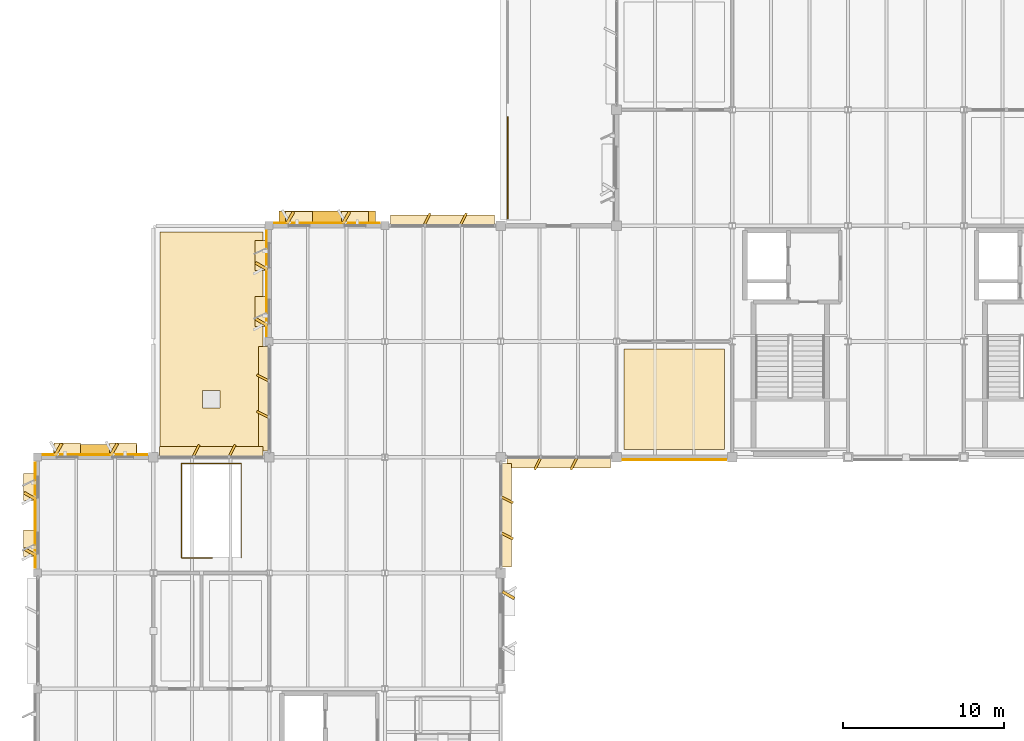
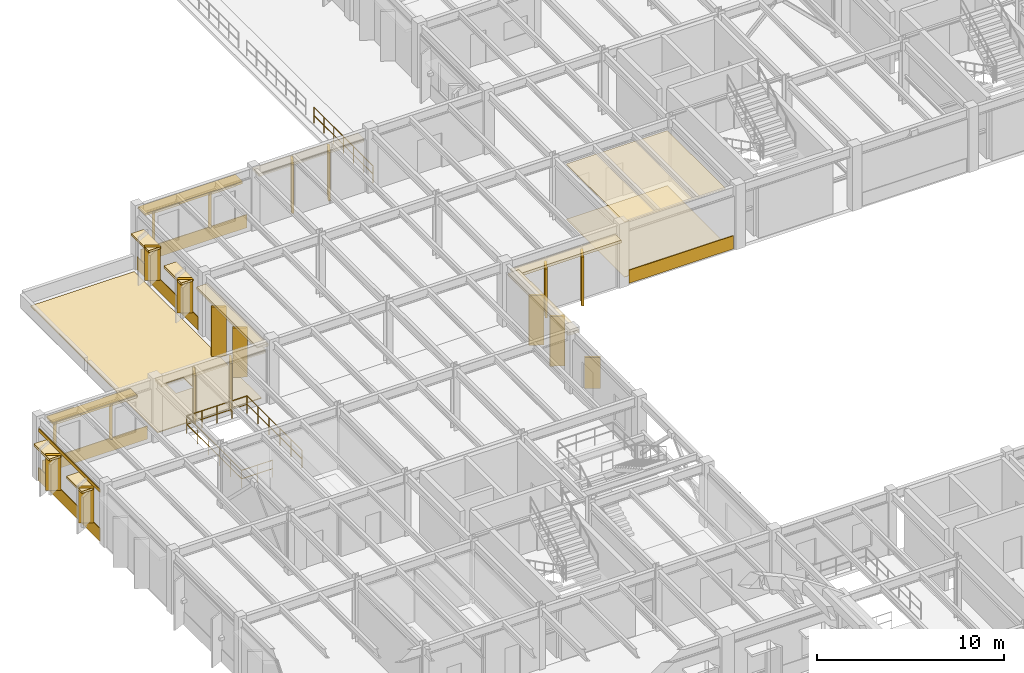
# One storey, part 80 of 85: 41 coverings, 2 railings, 2 shading devices.
"""IFC4 building model written with IfcOpenShell, lengths in metres."""

from ifc_helpers import new_model, si_unit, direction, frame, frame_2d, origin, origin_2d, place, context, subcontext, project, spatial, polyline, rectangle, circle, outline, extrude, material, layer, layer_set, type_object, element, save


model = new_model("IFC4")

# Units and contexts
model_context = context("Model", 3, precision=1e-05, world=origin(), true_north=direction((0.0, 1.0)))
body_context = subcontext(model_context, "Body", "Model", "MODEL_VIEW")
ifc_project = project(units=[si_unit("LENGTHUNIT", "METRE"), si_unit("AREAUNIT", "SQUARE_METRE"), si_unit("VOLUMEUNIT", "CUBIC_METRE"), si_unit("PLANEANGLEUNIT", "RADIAN"), si_unit("MASSUNIT", "GRAM", prefix="KILO")], contexts=[model_context])

# Site, building, storey
site_placement = place(None, origin())
site = spatial("IfcSite", under=ifc_project, at=site_placement, CompositionType="ELEMENT")
building_placement = place(site_placement, origin())
building = spatial("IfcBuilding", under=site, at=building_placement, Name="Sillqori Civic Hall", CompositionType="ELEMENT")
storey_placement = place(building_placement, frame((0.0, 0.0, 9.89990234375)))
storey = spatial("IfcBuildingStorey", under=building, at=storey_placement, Name="L03", CompositionType="ELEMENT", Elevation=9.89990234375)

# Coverings
ifc_material_1 = material(Name="Micro-Perforated Aluminium Plank Ceiling", Category="aluminium")
ifc_layer_1 = layer(ifc_material_1, 0.035888671875)
ifc_layer_set_1 = layer_set([ifc_layer_1], Name="Micro-Perforated Aluminium Plank Ceiling")
covering_type_1 = type_object("IfcCoveringType", Name="COV-CEIL-MET", PredefinedType="CEILING", material=ifc_layer_set_1)
covering_1_placement = place(storey_placement, frame((0.0, 0.0, 3.585205078125)))
element("IfcCovering", 1, at=covering_1_placement, inside=storey, type_object=covering_type_1, Name="Urban Planning Masterplan Studio acoustic ceiling", PredefinedType="CEILING", context=body_context, shape_type="SweptSolid", body=[
    extrude(outline(polyline([(43.679931640625, 79.679931640625), (49.919921875, 79.679931640625), (49.919921875, 85.919921875), (43.679931640625, 85.919921875), (43.679931640625, 79.679931640625)])), origin(), (0.0, 0.0, 1.0), 0.035888671875),
])
ifc_material_2 = material(Name="Cochabamba Honed Limestone Cladding", Category="masonry")
ifc_layer_2 = layer(ifc_material_2, 0.044921875)
ifc_layer_set_2 = layer_set([ifc_layer_2], Name="Cochabamba Honed Limestone Cladding")
covering_type_2 = type_object("IfcCoveringType", Name="COV-CLAD-LIME", PredefinedType="CLADDING", material=ifc_layer_set_2)
covering_2_placement = place(storey_placement, frame((7.530029296875, 79.35009765625, 0.0400390625), z_axis=(0.0, 0.0, 1.0), x_axis=(1.0, 0.0, 0.0)))
element("IfcCovering", 2, at=covering_2_placement, inside=storey, type_object=covering_type_2, Name="L03 limestone spandrel cladding L03-01-10-N", PredefinedType="CLADDING", context=body_context, shape_type="SweptSolid", body=[
    extrude(rectangle(XDim=6.489990234375, YDim=0.044921875, at=frame_2d((3.2451171875, 0.0))), origin(), (0.0, 0.0, 1.0), 0.860107421875),
])
covering_3_placement = place(storey_placement, frame((8.27587890625, 79.31005859375, 0.830078125), z_axis=(0.0, 0.0, 1.0), x_axis=(0.500062241894, 0.865989465428, 0.0)))
element("IfcCovering", 3, at=covering_3_placement, inside=storey, type_object=covering_type_2, Name="Sawtooth limestone angled reveal cheek L03-01-10-N.1", PredefinedType="CLADDING", context=body_context, shape_type="SweptSolid", body=[
    extrude(rectangle(XDim=0.85009765625, YDim=0.179931640625, at=frame_2d((0.425048828125, 0.0))), origin(), (0.0, 0.0, 1.0), 2.300048828125),
])
covering_4_placement = place(storey_placement, frame((8.216064453125, 79.68994140625, 2.989990234375), z_axis=(0.0, 0.0, 1.0), x_axis=(1.0, 0.0, 0.0)))
element("IfcCovering", 4, at=covering_4_placement, inside=storey, type_object=covering_type_2, Name="Sawtooth limestone window hood L03-01-10-N.1", PredefinedType="CLADDING", context=body_context, shape_type="SweptSolid", body=[
    extrude(rectangle(XDim=1.659912109375, YDim=0.780029296875, at=frame_2d((0.830078125, 0.0))), origin(), (0.0, 0.0, 1.0), 0.14013671875),
])
covering_5_placement = place(storey_placement, frame((11.73388671875, 79.31005859375, 0.830078125), z_axis=(0.0, 0.0, 1.0), x_axis=(0.500062241894, 0.865989465428, 0.0)))
element("IfcCovering", 5, at=covering_5_placement, inside=storey, type_object=covering_type_2, Name="Sawtooth limestone angled reveal cheek L03-01-10-N.2", PredefinedType="CLADDING", context=body_context, shape_type="SweptSolid", body=[
    extrude(rectangle(XDim=0.85009765625, YDim=0.179931640625, at=frame_2d((0.425048828125, 0.0))), origin(), (0.0, 0.0, 1.0), 2.300048828125),
])
covering_6_placement = place(storey_placement, frame((11.674072265625, 79.68994140625, 2.989990234375), z_axis=(0.0, 0.0, 1.0), x_axis=(1.0, 0.0, 0.0)))
element("IfcCovering", 6, at=covering_6_placement, inside=storey, type_object=covering_type_2, Name="Sawtooth limestone window hood L03-01-10-N.2", PredefinedType="CLADDING", context=body_context, shape_type="SweptSolid", body=[
    extrude(rectangle(XDim=1.659912109375, YDim=0.780029296875, at=frame_2d((0.830078125, 0.0))), origin(), (0.0, 0.0, 1.0), 0.14013671875),
])
covering_7_placement = place(storey_placement, frame((7.050048828125, 72.330078125, 0.0400390625), z_axis=(0.0, 0.0, 1.0), x_axis=(0.0, 1.0, 0.0)))
element("IfcCovering", 7, at=covering_7_placement, inside=storey, type_object=covering_type_2, Name="L03 limestone spandrel cladding L03-01-10-W", PredefinedType="CLADDING", context=body_context, shape_type="SweptSolid", body=[
    extrude(rectangle(XDim=6.5400390625, YDim=0.044921875, at=frame_2d((3.27001953125, 0.0))), origin(), (0.0, 0.0, 1.0), 0.860107421875),
])
covering_8_placement = place(storey_placement, frame((7.050048828125, 72.330078125, 3.22021484375), z_axis=(0.0, 0.0, 1.0), x_axis=(0.0, 1.0, 0.0)))
element("IfcCovering", 8, at=covering_8_placement, inside=storey, type_object=covering_type_2, Name="L03 limestone frieze cladding L03-01-10-W", PredefinedType="CLADDING", context=body_context, shape_type="SweptSolid", body=[
    extrude(rectangle(XDim=6.5400390625, YDim=0.044921875, at=frame_2d((3.27001953125, 0.0))), origin(), (0.0, 0.0, 1.0), 0.226806640625),
])
covering_9_placement = place(storey_placement, frame((7.090087890625, 73.087890625, 0.830078125), z_axis=(0.0, 0.0, 1.0), x_axis=(-0.865989465428, 0.500062241894, 0.0)))
element("IfcCovering", 9, at=covering_9_placement, inside=storey, type_object=covering_type_2, Name="Sawtooth limestone angled reveal cheek L03-01-10-W.1", PredefinedType="CLADDING", context=body_context, shape_type="SweptSolid", body=[
    extrude(rectangle(XDim=0.85009765625, YDim=0.179931640625, at=frame_2d((0.425048828125, 0.0))), origin(), (0.0, 0.0, 1.0), 2.300048828125),
])
covering_10_placement = place(storey_placement, frame((6.7099609375, 73.028076171875, 2.989990234375), z_axis=(0.0, 0.0, 1.0), x_axis=(0.0, 1.0, 0.0)))
element("IfcCovering", 10, at=covering_10_placement, inside=storey, type_object=covering_type_2, Name="Sawtooth limestone window hood L03-01-10-W.1", PredefinedType="CLADDING", context=body_context, shape_type="SweptSolid", body=[
    extrude(rectangle(XDim=1.659912109375, YDim=0.780029296875, at=frame_2d((0.830078125, 0.0))), origin(), (0.0, 0.0, 1.0), 0.14013671875),
])
covering_11_placement = place(storey_placement, frame((7.090087890625, 76.572021484375, 0.830078125), z_axis=(0.0, 0.0, 1.0), x_axis=(-0.865989465428, 0.500062241894, 0.0)))
element("IfcCovering", 11, at=covering_11_placement, inside=storey, type_object=covering_type_2, Name="Sawtooth limestone angled reveal cheek L03-01-10-W.2", PredefinedType="CLADDING", context=body_context, shape_type="SweptSolid", body=[
    extrude(rectangle(XDim=0.85009765625, YDim=0.179931640625, at=frame_2d((0.425048828125, 0.0))), origin(), (0.0, 0.0, 1.0), 2.300048828125),
])
covering_12_placement = place(storey_placement, frame((6.7099609375, 76.511962890625, 2.989990234375), z_axis=(0.0, 0.0, 1.0), x_axis=(0.0, 1.0, 0.0)))
element("IfcCovering", 12, at=covering_12_placement, inside=storey, type_object=covering_type_2, Name="Sawtooth limestone window hood L03-01-10-W.2", PredefinedType="CLADDING", context=body_context, shape_type="SweptSolid", body=[
    extrude(rectangle(XDim=1.66015625, YDim=0.780029296875, at=frame_2d((0.830078125, 0.0))), origin(), (0.0, 0.0, 1.0), 0.14013671875),
])
covering_13_placement = place(storey_placement, frame((14.780029296875, 79.52001953125, 3.238037109375), z_axis=(0.0, 0.0, 1.0), x_axis=(1.0, 0.0, 0.0)))
element("IfcCovering", 13, at=covering_13_placement, inside=storey, type_object=covering_type_2, Name="L03 curtain-wall limestone solar hood L03-02-10-N", PredefinedType="CLADDING", context=body_context, shape_type="SweptSolid", body=[
    extrude(rectangle(XDim=6.43994140625, YDim=0.679931640625, at=frame_2d((3.219970703125, 0.0))), origin(), (0.0, 0.0, 1.0), 0.18017578125),
])
for number, where, z_axis, x_axis, name in (
    (14, (16.8779296875, 79.25, 0.06005859375), (0.0, 0.0, 1.0), (0.447334902547, 0.894366527193, 0.0), "L03 curtain-wall angled stone fin L03-02-10-N.1"),
    (15, (19.1220703125, 79.25, 0.06005859375), (0.0, 0.0, 1.0), (0.44709226377, 0.894487846579, 0.0), "L03 curtain-wall angled stone fin L03-02-10-N.2"),
):
    element("IfcCovering", number, at=place(storey_placement, frame(where, z_axis=z_axis, x_axis=x_axis)), inside=storey, type_object=covering_type_2, Name=name, PredefinedType="CLADDING", context=body_context, shape_type="SweptSolid", body=[
        extrude(rectangle(XDim=0.804931640625, YDim=0.139892578125, at=frame_2d((0.40234375, 0.0))), origin(), (0.0, 0.0, 1.0), 3.177978515625),
    ])
covering_14_placement = place(storey_placement, frame((21.280029296875, 79.580078125, 3.287109375), z_axis=(0.0, 0.0, 1.0), x_axis=(0.0, 1.0, 0.0)))
element("IfcCovering", 16, at=covering_14_placement, inside=storey, type_object=covering_type_2, Name="L03 curtain-wall limestone solar hood L03-03-11-W", PredefinedType="CLADDING", context=body_context, shape_type="SweptSolid", body=[
    extrude(rectangle(XDim=6.489990234375, YDim=0.679931640625, at=frame_2d((3.2451171875, 0.0))), origin(), (0.0, 0.0, 1.0), 0.179931640625),
])
for number, where, z_axis, x_axis, name in (
    (17, (21.550048828125, 81.694580078125, 0.06005859375), (0.0, 0.0, 1.0), (-0.894487846579, 0.44709226377, 0.0), "L03 curtain-wall angled stone fin L03-03-11-W.1"),
    (18, (21.550048828125, 83.95556640625, 0.06005859375), (0.0, 0.0, 1.0), (-0.894487846579, 0.44709226377, 0.0), "L03 curtain-wall angled stone fin L03-03-11-W.2"),
):
    element("IfcCovering", number, at=place(storey_placement, frame(where, z_axis=z_axis, x_axis=x_axis)), inside=storey, type_object=covering_type_2, Name=name, PredefinedType="CLADDING", context=body_context, shape_type="SweptSolid", body=[
        extrude(rectangle(XDim=0.804931640625, YDim=0.139892578125, at=frame_2d((0.40234375, 0.0))), origin(), (0.0, 0.0, 1.0), 3.22705078125),
    ])
covering_15_placement = place(storey_placement, frame((21.929931640625, 93.760009765625, 0.0400390625), z_axis=(0.0, 0.0, 1.0), x_axis=(1.0, 0.0, 0.0)))
element("IfcCovering", 19, at=covering_15_placement, inside=storey, type_object=covering_type_2, Name="L03 limestone spandrel cladding L03-03-12-N", PredefinedType="CLADDING", context=body_context, shape_type="SweptSolid", body=[
    extrude(rectangle(XDim=6.5400390625, YDim=0.044921875, at=frame_2d((3.27001953125, 0.0))), origin(), (0.0, 0.0, 1.0), 0.860107421875),
])
covering_16_placement = place(storey_placement, frame((22.68798828125, 93.719970703125, 0.830078125), z_axis=(0.0, 0.0, 1.0), x_axis=(0.500062241894, 0.865989465428, 0.0)))
element("IfcCovering", 20, at=covering_16_placement, inside=storey, type_object=covering_type_2, Name="Sawtooth limestone angled reveal cheek L03-03-12-N.1", PredefinedType="CLADDING", context=body_context, shape_type="SweptSolid", body=[
    extrude(rectangle(XDim=0.85009765625, YDim=0.179931640625, at=frame_2d((0.425048828125, 0.0))), origin(), (0.0, 0.0, 1.0), 2.300048828125),
])
covering_17_placement = place(storey_placement, frame((22.6279296875, 94.10009765625, 2.989990234375), z_axis=(0.0, 0.0, 1.0), x_axis=(1.0, 0.0, 0.0)))
element("IfcCovering", 21, at=covering_17_placement, inside=storey, type_object=covering_type_2, Name="Sawtooth limestone window hood L03-03-12-N.1", PredefinedType="CLADDING", context=body_context, shape_type="SweptSolid", body=[
    extrude(rectangle(XDim=1.66015625, YDim=0.780029296875, at=frame_2d((0.830078125, 0.0))), origin(), (0.0, 0.0, 1.0), 0.14013671875),
])
covering_18_placement = place(storey_placement, frame((26.172119140625, 93.719970703125, 0.830078125), z_axis=(0.0, 0.0, 1.0), x_axis=(0.499846793097, 0.866113839764, 0.0)))
element("IfcCovering", 22, at=covering_18_placement, inside=storey, type_object=covering_type_2, Name="Sawtooth limestone angled reveal cheek L03-03-12-N.2", PredefinedType="CLADDING", context=body_context, shape_type="SweptSolid", body=[
    extrude(rectangle(XDim=0.849853515625, YDim=0.179931640625, at=frame_2d((0.4248046875, 0.0))), origin(), (0.0, 0.0, 1.0), 2.300048828125),
])
covering_19_placement = place(storey_placement, frame((26.112060546875, 94.10009765625, 2.989990234375), z_axis=(0.0, 0.0, 1.0), x_axis=(1.0, 0.0, 0.0)))
element("IfcCovering", 23, at=covering_19_placement, inside=storey, type_object=covering_type_2, Name="Sawtooth limestone window hood L03-03-12-N.2", PredefinedType="CLADDING", context=body_context, shape_type="SweptSolid", body=[
    extrude(rectangle(XDim=1.659912109375, YDim=0.780029296875, at=frame_2d((0.830078125, 0.0))), origin(), (0.0, 0.0, 1.0), 0.14013671875),
])
covering_20_placement = place(storey_placement, frame((21.43994140625, 86.72998046875, 0.0400390625), z_axis=(0.0, 0.0, 1.0), x_axis=(0.0, 1.0, 0.0)))
element("IfcCovering", 24, at=covering_20_placement, inside=storey, type_object=covering_type_2, Name="L03 limestone spandrel cladding L03-03-12-W", PredefinedType="CLADDING", context=body_context, shape_type="SweptSolid", body=[
    extrude(rectangle(XDim=6.5400390625, YDim=0.044921875, at=frame_2d((3.27001953125, 0.0))), origin(), (0.0, 0.0, 1.0), 0.860107421875),
])
covering_21_placement = place(storey_placement, frame((21.47998046875, 87.387939453125, 0.830078125), z_axis=(0.0, 0.0, 1.0), x_axis=(-0.865989465428, 0.500062241894, 0.0)))
element("IfcCovering", 25, at=covering_21_placement, inside=storey, type_object=covering_type_2, Name="Sawtooth limestone angled reveal cheek L03-03-12-W.1", PredefinedType="CLADDING", context=body_context, shape_type="SweptSolid", body=[
    extrude(rectangle(XDim=0.85009765625, YDim=0.179931640625, at=frame_2d((0.425048828125, 0.0))), origin(), (0.0, 0.0, 1.0), 2.199951171875),
])
covering_22_placement = place(storey_placement, frame((21.10009765625, 87.327880859375, 2.89013671875), z_axis=(0.0, 0.0, 1.0), x_axis=(0.0, 1.0, 0.0)))
element("IfcCovering", 26, at=covering_22_placement, inside=storey, type_object=covering_type_2, Name="Sawtooth limestone window hood L03-03-12-W.1", PredefinedType="CLADDING", context=body_context, shape_type="SweptSolid", body=[
    extrude(rectangle(XDim=1.860107421875, YDim=0.780029296875, at=frame_2d((0.93017578125, 0.0))), origin(), (0.0, 0.0, 1.0), 0.139892578125),
])
covering_23_placement = place(storey_placement, frame((21.47998046875, 90.8720703125, 0.830078125), z_axis=(0.0, 0.0, 1.0), x_axis=(-0.865989465428, 0.500062241894, 0.0)))
element("IfcCovering", 27, at=covering_23_placement, inside=storey, type_object=covering_type_2, Name="Sawtooth limestone angled reveal cheek L03-03-12-W.2", PredefinedType="CLADDING", context=body_context, shape_type="SweptSolid", body=[
    extrude(rectangle(XDim=0.85009765625, YDim=0.179931640625, at=frame_2d((0.425048828125, 0.0))), origin(), (0.0, 0.0, 1.0), 2.199951171875),
])
covering_24_placement = place(storey_placement, frame((21.10009765625, 90.81201171875, 2.89013671875), z_axis=(0.0, 0.0, 1.0), x_axis=(0.0, 1.0, 0.0)))
element("IfcCovering", 28, at=covering_24_placement, inside=storey, type_object=covering_type_2, Name="Sawtooth limestone window hood L03-03-12-W.2", PredefinedType="CLADDING", context=body_context, shape_type="SweptSolid", body=[
    extrude(rectangle(XDim=1.860107421875, YDim=0.780029296875, at=frame_2d((0.93017578125, 0.0))), origin(), (0.0, 0.0, 1.0), 0.139892578125),
])
covering_25_placement = place(storey_placement, frame((36.110107421875, 70.8359375, 0.830078125), z_axis=(0.0, 0.0, 1.0), x_axis=(0.865989465428, -0.500062241894, 0.0)))
element("IfcCovering", 29, at=covering_25_placement, inside=storey, type_object=covering_type_2, Name="Sawtooth limestone angled reveal cheek L03-04-09-E.1", PredefinedType="CLADDING", context=body_context, shape_type="SweptSolid", body=[
    extrude(rectangle(XDim=0.85009765625, YDim=0.179931640625, at=frame_2d((0.425048828125, 0.0))), origin(), (0.0, 0.0, 1.0), 2.0),
])
covering_26_placement = place(storey_placement, frame((36.320068359375, 78.820068359375, 3.30712890625), z_axis=(0.0, 0.0, 1.0), x_axis=(0.0, -1.0, 0.0)))
element("IfcCovering", 30, at=covering_26_placement, inside=storey, type_object=covering_type_2, Name="L03 curtain-wall limestone solar hood L03-04-10-E", PredefinedType="CLADDING", context=body_context, shape_type="SweptSolid", body=[
    extrude(rectangle(XDim=6.440185546875, YDim=0.679931640625, at=frame_2d((3.22021484375, 0.0))), origin(), (0.0, 0.0, 1.0), 0.179931640625),
])
for number, where, z_axis, x_axis, name in (
    (31, (36.050048828125, 76.721923828125, 0.06005859375), (0.0, 0.0, 1.0), (0.894487846579, -0.44709226377, 0.0), "L03 curtain-wall angled stone fin L03-04-10-E.1"),
    (32, (36.050048828125, 74.47802734375, 0.06005859375), (0.0, 0.0, 1.0), (0.894366527193, -0.447334902547, 0.0), "L03 curtain-wall angled stone fin L03-04-10-E.2"),
):
    element("IfcCovering", number, at=place(storey_placement, frame(where, z_axis=z_axis, x_axis=x_axis)), inside=storey, type_object=covering_type_2, Name=name, PredefinedType="CLADDING", context=body_context, shape_type="SweptSolid", body=[
        extrude(rectangle(XDim=0.804931640625, YDim=0.139892578125, at=frame_2d((0.40234375, 0.0))), origin(), (0.0, 0.0, 1.0), 3.2470703125),
    ])
covering_27_placement = place(storey_placement, frame((29.1298828125, 93.919921875, 3.238037109375), z_axis=(0.0, 0.0, 1.0), x_axis=(1.0, 0.0, 0.0)))
element("IfcCovering", 33, at=covering_27_placement, inside=storey, type_object=covering_type_2, Name="L03 curtain-wall limestone solar hood L03-04-12-N", PredefinedType="CLADDING", context=body_context, shape_type="SweptSolid", body=[
    extrude(rectangle(XDim=6.490234375, YDim=0.679931640625, at=frame_2d((3.2451171875, 0.0))), origin(), (0.0, 0.0, 1.0), 0.18017578125),
])
for number, where, z_axis, x_axis, name in (
    (34, (31.244384765625, 93.64990234375, 0.06005859375), (0.0, 0.0, 1.0), (0.4472135955, 0.894427191, 0.0), "L03 curtain-wall angled stone fin L03-04-12-N.1"),
    (35, (33.505615234375, 93.64990234375, 0.06005859375), (0.0, 0.0, 1.0), (0.44697098964, 0.894548452807, 0.0), "L03 curtain-wall angled stone fin L03-04-12-N.2"),
):
    element("IfcCovering", number, at=place(storey_placement, frame(where, z_axis=z_axis, x_axis=x_axis)), inside=storey, type_object=covering_type_2, Name=name, PredefinedType="CLADDING", context=body_context, shape_type="SweptSolid", body=[
        extrude(rectangle(XDim=0.80517578125, YDim=0.139892578125, at=frame_2d((0.402587890625, 0.0))), origin(), (0.0, 0.0, 1.0), 3.177978515625),
    ])
covering_28_placement = place(storey_placement, frame((42.820068359375, 78.8798828125, 3.238037109375), z_axis=(0.0, 0.0, 1.0), x_axis=(-1.0, 0.0, 0.0)))
element("IfcCovering", 36, at=covering_28_placement, inside=storey, type_object=covering_type_2, Name="L03 curtain-wall limestone solar hood L03-05-11-S", PredefinedType="CLADDING", context=body_context, shape_type="SweptSolid", body=[
    extrude(rectangle(XDim=6.440185546875, YDim=0.679931640625, at=frame_2d((3.22021484375, 0.0))), origin(), (0.0, 0.0, 1.0), 0.18017578125),
])
for number, where, z_axis, x_axis, name in (
    (37, (40.721923828125, 79.14990234375, 0.06005859375), (0.0, 0.0, 1.0), (-0.44709226377, -0.894487846579, 0.0), "L03 curtain-wall angled stone fin L03-05-11-S.1"),
    (38, (38.47802734375, 79.14990234375, 0.06005859375), (0.0, 0.0, 1.0), (-0.447334902547, -0.894366527193, 0.0), "L03 curtain-wall angled stone fin L03-05-11-S.2"),
):
    element("IfcCovering", number, at=place(storey_placement, frame(where, z_axis=z_axis, x_axis=x_axis)), inside=storey, type_object=covering_type_2, Name=name, PredefinedType="CLADDING", context=body_context, shape_type="SweptSolid", body=[
        extrude(rectangle(XDim=0.804931640625, YDim=0.139892578125, at=frame_2d((0.40234375, 0.0))), origin(), (0.0, 0.0, 1.0), 3.177978515625),
    ])
covering_29_placement = place(storey_placement, frame((50.02001953125, 79.0400390625, 0.0400390625), z_axis=(0.0, 0.0, 1.0), x_axis=(-1.0, 0.0, 0.0)))
element("IfcCovering", 39, at=covering_29_placement, inside=storey, type_object=covering_type_2, Name="L03 limestone spandrel cladding L03-06-11-S", PredefinedType="CLADDING", context=body_context, shape_type="SweptSolid", body=[
    extrude(rectangle(XDim=6.43994140625, YDim=0.044921875, at=frame_2d((3.219970703125, 0.0))), origin(), (0.0, 0.0, 1.0), 0.860107421875),
])
ifc_material_3 = material(Name="Dust-Sealed Heavy-Duty Archive Epoxy", Category="resin")
ifc_layer_3 = layer(ifc_material_3, 0.014892578125)
ifc_layer_set_3 = layer_set([ifc_layer_3], Name="Dust-Sealed Heavy-Duty Archive Epoxy")
covering_type_3 = type_object("IfcCoveringType", Name="COV-FLR-EPX", PredefinedType="FLOORING", material=ifc_layer_set_3)
covering_30_placement = place(storey_placement, origin())
element("IfcCovering", 40, at=covering_30_placement, inside=storey, type_object=covering_type_3, Name="Urban Planning Masterplan Studio floor finish", PredefinedType="FLOORING", context=body_context, shape_type="SweptSolid", body=[
    extrude(outline(polyline([(43.679931640625, 79.679931640625), (49.919921875, 79.679931640625), (49.919921875, 85.919921875), (43.679931640625, 85.919921875), (43.679931640625, 79.679931640625)])), origin(), (0.0, 0.0, 1.0), 0.01513671875),
])
ifc_material_4 = material(Name="Insulated Standing-Seam Solar Roof Membrane", Category="membrane")
ifc_layer_4 = layer(ifc_material_4, 0.054931640625)
ifc_layer_set_4 = layer_set([ifc_layer_4], Name="Insulated Standing-Seam Solar Roof Membrane")
covering_type_4 = type_object("IfcCoveringType", Name="COV-ROOF-TPO", PredefinedType="ROOFING", material=ifc_layer_set_4)
covering_31_placement = place(storey_placement, origin())
element("IfcCovering", 41, at=covering_31_placement, inside=storey, type_object=covering_type_4, Name="L03 insulated TPO roof membrane ROOF-FLAT-L02-3", PredefinedType="ROOFING", context=body_context, shape_type="SweptSolid", body=[
    extrude(outline(polyline([(14.800048828125, 79.60009765625), (21.199951171875, 79.60009765625), (21.199951171875, 93.199951171875), (14.800048828125, 93.199951171875), (14.800048828125, 79.60009765625)]), holes=[polyline([(17.449951171875, 82.25), (17.449951171875, 83.35009765625), (18.550048828125, 83.35009765625), (18.550048828125, 82.25), (17.449951171875, 82.25)])]), origin(), (0.0, 0.0, 1.0), 0.05517578125),
])

# Railings
ifc_material_5 = material(Name="Architectural Bronze and Tempered Glass Balustrade", Category="glass")
ifc_layer_5 = layer(ifc_material_5, 0.080078125)
ifc_layer_set_5 = layer_set([ifc_layer_5], Name="Architectural Bronze and Tempered Glass Balustrade")
railing_type_1 = type_object("IfcRailingType", Name="RLG-BALU-115", PredefinedType="BALUSTRADE", material=ifc_layer_set_5)
railing_1_placement = place(storey_placement, frame((18.06005859375, 72.93994140625, 0.0)))
element("IfcRailing", 42, at=railing_1_placement, inside=storey, type_object=railing_type_1, Name="West Committee Upper Stair L02-L03 upper atrium well balustrade", PredefinedType="BALUSTRADE", context=body_context, shape_type="SweptSolid", body=[
    extrude(circle(Radius=0.02392578125, at=origin_2d()), frame((0.0, 0.0, 1.1259765625), z_axis=(-1.0, 0.0, 0.0), x_axis=(0.0, -1.0, 0.0)), (0.0, 0.0, 1.0), 1.920166015625),
    extrude(circle(Radius=0.02392578125, at=origin_2d()), frame((0.0, 0.0, 0.574951171875), z_axis=(-1.0, 0.0, 0.0), x_axis=(0.0, -1.0, 0.0)), (0.0, 0.0, 1.0), 1.920166015625),
    extrude(circle(Radius=0.02392578125, at=origin_2d()), frame((-1.920166015625, 0.0, 1.1259765625), z_axis=(0.0, 1.0, 0.0), x_axis=(-1.0, 0.0, 0.0)), (0.0, 0.0, 1.0), 5.8701171875),
    extrude(circle(Radius=0.02392578125, at=origin_2d()), frame((-1.920166015625, 0.0, 0.574951171875), z_axis=(0.0, 1.0, 0.0), x_axis=(-1.0, 0.0, 0.0)), (0.0, 0.0, 1.0), 5.8701171875),
    extrude(circle(Radius=0.02392578125, at=origin_2d()), frame((-1.920166015625, 5.8701171875, 1.1259765625), z_axis=(1.0, 0.0, 0.0), x_axis=(0.0, 1.0, 0.0)), (0.0, 0.0, 1.0), 3.72021484375),
    extrude(circle(Radius=0.02392578125, at=origin_2d()), frame((-1.920166015625, 5.8701171875, 0.574951171875), z_axis=(1.0, 0.0, 0.0), x_axis=(0.0, 1.0, 0.0)), (0.0, 0.0, 1.0), 3.72021484375),
    extrude(circle(Radius=0.02392578125, at=origin_2d()), frame((1.800048828125, 5.8701171875, 1.1259765625), z_axis=(0.0, -1.0, 0.0), x_axis=(1.0, 0.0, 0.0)), (0.0, 0.0, 1.0), 5.8701171875),
    extrude(circle(Radius=0.02392578125, at=origin_2d()), frame((1.800048828125, 5.8701171875, 0.574951171875), z_axis=(0.0, -1.0, 0.0), x_axis=(1.0, 0.0, 0.0)), (0.0, 0.0, 1.0), 5.8701171875),
    extrude(circle(Radius=0.02099609375, at=origin_2d()), origin(), (0.0, 0.0, 1.0), 1.101806640625),
    extrude(circle(Radius=0.02099609375, at=origin_2d()), frame((-0.9599609375, 0.0, 0.0)), (0.0, 0.0, 1.0), 1.101806640625),
    extrude(circle(Radius=0.02099609375, at=origin_2d()), frame((-1.920166015625, 0.0, 0.0)), (0.0, 0.0, 1.0), 1.101806640625),
    extrude(circle(Radius=0.02099609375, at=origin_2d()), frame((-1.920166015625, 1.174072265625, 0.0)), (0.0, 0.0, 1.0), 1.101806640625),
    extrude(circle(Radius=0.02099609375, at=origin_2d()), frame((-1.920166015625, 2.34814453125, 0.0)), (0.0, 0.0, 1.0), 1.101806640625),
    extrude(circle(Radius=0.02099609375, at=origin_2d()), frame((-1.920166015625, 3.52197265625, 0.0)), (0.0, 0.0, 1.0), 1.101806640625),
    extrude(circle(Radius=0.02099609375, at=origin_2d()), frame((-1.920166015625, 4.696044921875, 0.0)), (0.0, 0.0, 1.0), 1.101806640625),
    extrude(circle(Radius=0.02099609375, at=origin_2d()), frame((-1.920166015625, 5.8701171875, 0.0)), (0.0, 0.0, 1.0), 1.101806640625),
    extrude(circle(Radius=0.02099609375, at=origin_2d()), frame((-0.990234375, 5.8701171875, 0.0)), (0.0, 0.0, 1.0), 1.101806640625),
    extrude(circle(Radius=0.02099609375, at=origin_2d()), frame((-0.06005859375, 5.8701171875, 0.0)), (0.0, 0.0, 1.0), 1.101806640625),
    extrude(circle(Radius=0.02099609375, at=origin_2d()), frame((0.8701171875, 5.8701171875, 0.0)), (0.0, 0.0, 1.0), 1.101806640625),
    extrude(circle(Radius=0.02099609375, at=origin_2d()), frame((1.800048828125, 5.8701171875, 0.0)), (0.0, 0.0, 1.0), 1.101806640625),
    extrude(circle(Radius=0.02099609375, at=origin_2d()), frame((1.800048828125, 4.696044921875, 0.0)), (0.0, 0.0, 1.0), 1.101806640625),
    extrude(circle(Radius=0.02099609375, at=origin_2d()), frame((1.800048828125, 3.52197265625, 0.0)), (0.0, 0.0, 1.0), 1.101806640625),
    extrude(circle(Radius=0.02099609375, at=origin_2d()), frame((1.800048828125, 2.34814453125, 0.0)), (0.0, 0.0, 1.0), 1.101806640625),
    extrude(circle(Radius=0.02099609375, at=origin_2d()), frame((1.800048828125, 1.174072265625, 0.0)), (0.0, 0.0, 1.0), 1.101806640625),
    extrude(circle(Radius=0.02099609375, at=origin_2d()), frame((1.800048828125, 0.0, 0.0)), (0.0, 0.0, 1.0), 1.101806640625),
])
ifc_material_6 = material(Name="Stainless Steel 316 and Laminated Balustrade", Category="steel")
ifc_layer_6 = layer(ifc_material_6, 0.06005859375)
ifc_layer_set_6 = layer_set([ifc_layer_6], Name="Stainless Steel 316 and Laminated Balustrade")
railing_type_2 = type_object("IfcRailingType", Name="RLG-TERR-112", PredefinedType="GUARDRAIL", material=ifc_layer_set_6)
railing_2_placement = place(storey_placement, frame((36.43994140625, 94.0400390625, 0.0)))
element("IfcRailing", 43, at=railing_2_placement, inside=storey, type_object=railing_type_2, Name="Planning West Setback Terrace perimeter guard W-02", PredefinedType="GUARDRAIL", context=body_context, shape_type="SweptSolid", body=[
    extrude(circle(Radius=0.02392578125, at=origin_2d()), frame((0.0, 0.0, 1.09619140625), z_axis=(0.0, 1.0, 0.0), x_axis=(-1.0, 0.0, 0.0)), (0.0, 0.0, 1.0), 6.320068359375),
    extrude(circle(Radius=0.02392578125, at=origin_2d()), frame((0.0, 0.0, 0.56005859375), z_axis=(0.0, 1.0, 0.0), x_axis=(-1.0, 0.0, 0.0)), (0.0, 0.0, 1.0), 6.320068359375),
    extrude(circle(Radius=0.02099609375, at=origin_2d()), origin(), (0.0, 0.0, 1.0), 1.072021484375),
    extrude(circle(Radius=0.02099609375, at=origin_2d()), frame((0.0, 1.05322265625, 0.0)), (0.0, 0.0, 1.0), 1.072021484375),
    extrude(circle(Radius=0.02099609375, at=origin_2d()), frame((0.0, 2.106689453125, 0.0)), (0.0, 0.0, 1.0), 1.072021484375),
    extrude(circle(Radius=0.02099609375, at=origin_2d()), frame((0.0, 3.16015625, 0.0)), (0.0, 0.0, 1.0), 1.072021484375),
    extrude(circle(Radius=0.02099609375, at=origin_2d()), frame((0.0, 4.21337890625, 0.0)), (0.0, 0.0, 1.0), 1.072021484375),
    extrude(circle(Radius=0.02099609375, at=origin_2d()), frame((0.0, 5.2666015625, 0.0)), (0.0, 0.0, 1.0), 1.072021484375),
    extrude(circle(Radius=0.02099609375, at=origin_2d()), frame((0.0, 6.320068359375, 0.0)), (0.0, 0.0, 1.0), 1.072021484375),
])

# Shading devices
ifc_material_7 = material(Name="Anodized Aluminium Solar Control Louvre", Category="aluminium")
shading_device_type_1 = type_object("IfcShadingDeviceType", Name="SHD-HOOD-520", PredefinedType="JALOUSIE", material=ifc_material_7)
shading_device_1_placement = place(storey_placement, frame((10.77490234375, 79.655029296875, 3.02001953125), z_axis=(0.0, 0.0, 1.0), x_axis=(1.0, 0.0, 0.0)))
element("IfcShadingDevice", 44, at=shading_device_1_placement, inside=storey, type_object=shading_device_type_1, Name="L03 north solar hood L03-01-10-N", PredefinedType="JALOUSIE", context=body_context, shape_type="SweptSolid", body=[
    extrude(rectangle(XDim=5.199951171875, YDim=0.679931640625, at=origin_2d()), origin(), (0.0, 0.0, 1.0), 0.139892578125),
])
shading_device_type_2 = type_object("IfcShadingDeviceType", Name="SHD-HOOD-600", PredefinedType="JALOUSIE", material=ifc_material_7)
shading_device_2_placement = place(storey_placement, frame((25.199951171875, 94.114990234375, 3.02001953125), z_axis=(0.0, 0.0, 1.0), x_axis=(1.0, 0.0, 0.0)))
element("IfcShadingDevice", 45, at=shading_device_2_placement, inside=storey, type_object=shading_device_type_2, Name="L03 north solar hood L03-03-12-N", PredefinedType="JALOUSIE", context=body_context, shape_type="SweptSolid", body=[
    extrude(rectangle(XDim=6.0, YDim=0.780029296875, at=origin_2d()), origin(), (0.0, 0.0, 1.0), 0.139892578125),
])

save(model, "model.ifc")
